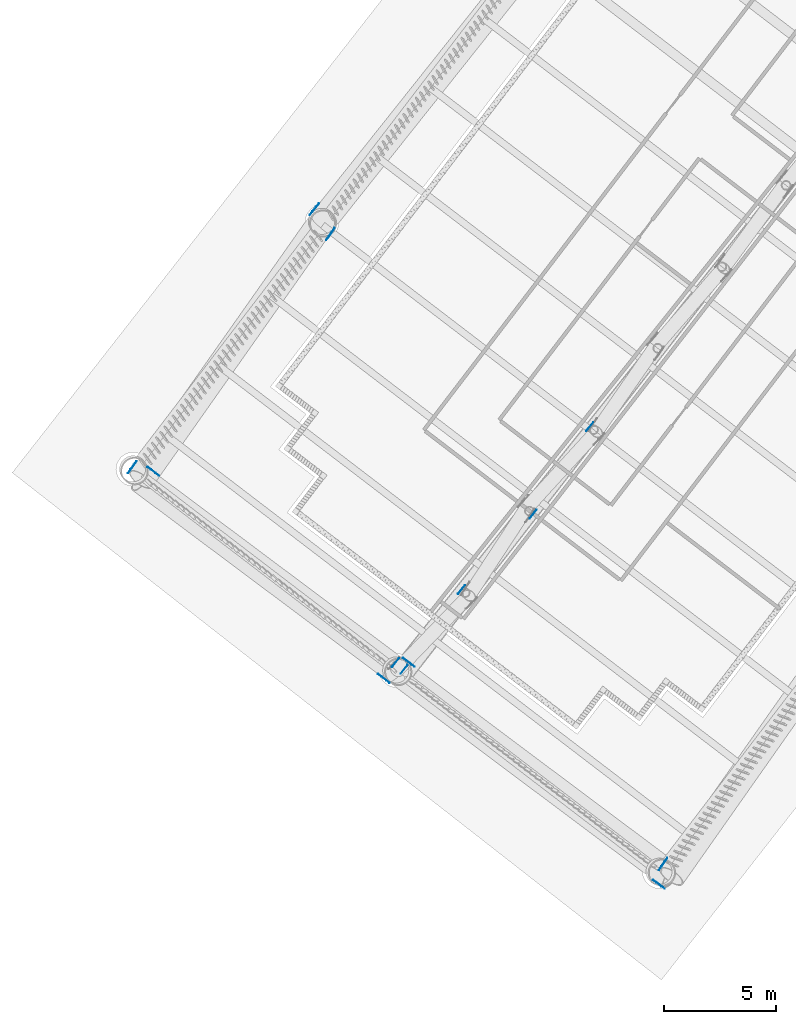
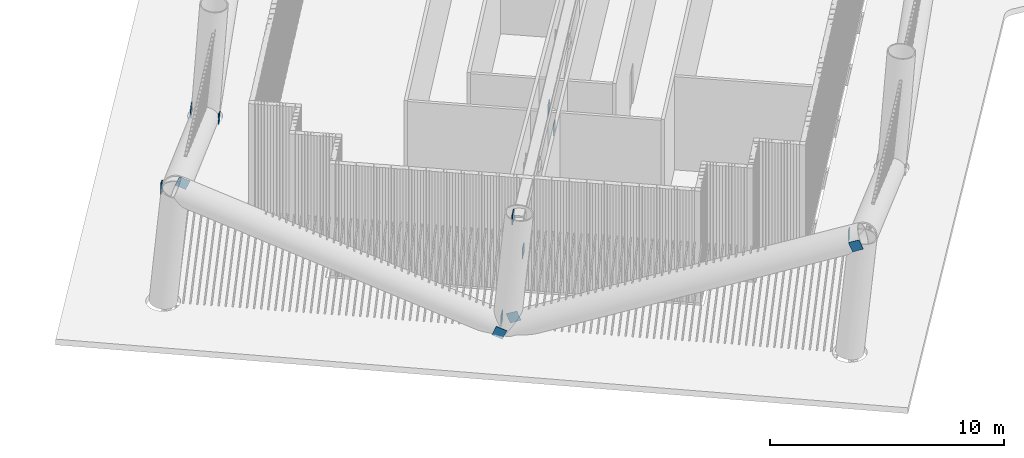
# One storey, part 22 of 48: 13 discrete accessories.
"""IFC4 building model written with IfcOpenShell, lengths in metres."""

from ifc_helpers import new_model, si_unit, direction, frame, origin, origin_2d, place, context, subcontext, project, spatial, rectangle, extrude, material, material_profile, profile_set, type_object, element, save


model = new_model("IFC4")

# Units and contexts
model_context = context("Model", 3, precision=1e-05, world=origin(), true_north=direction((0.0, 1.0)))
body_context = subcontext(model_context, "Body", "Model", "MODEL_VIEW")
ifc_project = project(units=[si_unit("LENGTHUNIT", "METRE"), si_unit("AREAUNIT", "SQUARE_METRE"), si_unit("VOLUMEUNIT", "CUBIC_METRE"), si_unit("PLANEANGLEUNIT", "RADIAN"), si_unit("MASSUNIT", "GRAM", prefix="KILO")], contexts=[model_context])

# Site, building, storey
site_placement = place(None, origin())
site = spatial("IfcSite", under=ifc_project, at=site_placement, CompositionType="ELEMENT")
building_placement = place(site_placement, origin())
building = spatial("IfcBuilding", under=site, at=building_placement, Name="Tarsis Ring Headquarters", CompositionType="ELEMENT")
storey_placement = place(building_placement, frame((0.0, 0.0, 34.0)))
storey = spatial("IfcBuildingStorey", under=building, at=storey_placement, Name="L06", CompositionType="ELEMENT", Elevation=34.0)

# Discrete accessories
ifc_material = material(Name="Structural steel S355", Category="steel")
ifc_material_profile = material_profile(ifc_material, rectangle(XDim=0.02490234375, YDim=0.5, at=origin_2d()), Name="PL 25x500")
ifc_profile_set = profile_set([ifc_material_profile], Name="Structural steel S355")
discrete_accessory_type_1 = type_object("IfcDiscreteAccessoryType", Name="Gusset plate Belt truss 25", PredefinedType="BRACKET", material=ifc_profile_set)
discrete_accessory_1_placement = place(storey_placement, frame((-35.869873046875, -21.524658203125, 0.0), z_axis=(0.57053436853, 0.717438427493, 0.399715695317), x_axis=(-0.782683582738, 0.622419801511, 0.0)))
element("IfcDiscreteAccessory", 1, at=discrete_accessory_1_placement, inside=storey, type_object=discrete_accessory_type_1, Name="Gusset plate GP4", PredefinedType="BRACKET", context=body_context, shape_type="SweptSolid", body=[
    extrude(rectangle(XDim=0.02490234375, YDim=0.5, at=origin_2d()), origin(), (0.0, 0.0, 1.0), 0.500244140625),
])
for number, where, z_axis, x_axis, name in (
    (2, (-34.874267578125, -22.269775390625, 0.0), (-0.529180247013, -0.752275609453, 0.392491622323), (0.817908176964, -0.575348776009, 0.0), "Gusset plate GP4"),
    (3, (-43.988037109375, -33.054931640625, 6.0), (0.529725989636, 0.75186914658, -0.392534281721), (-0.817482433131, 0.575953532433, 0.0), "Gusset plate GP4"),
):
    element("IfcDiscreteAccessory", number, at=place(storey_placement, frame(where, z_axis=z_axis, x_axis=x_axis)), inside=storey, type_object=discrete_accessory_type_1, Name=name, PredefinedType="BRACKET", context=body_context, shape_type="SweptSolid", body=[
        extrude(rectangle(XDim=0.02490234375, YDim=0.5, at=origin_2d()), origin(), (0.0, 0.0, 1.0), 0.5),
    ])
discrete_accessory_2_placement = place(storey_placement, frame((-32.44189453125, -42.443359375, 0.0), z_axis=(-0.738015075806, 0.552046991228, 0.388043641049), x_axis=(-0.598982674714, -0.800761984233, 0.0)))
element("IfcDiscreteAccessory", 4, at=discrete_accessory_2_placement, inside=storey, type_object=discrete_accessory_type_1, Name="Gusset plate GP4", PredefinedType="BRACKET", context=body_context, shape_type="SweptSolid", body=[
    extrude(rectangle(XDim=0.02490234375, YDim=0.5, at=origin_2d()), origin(), (0.0, 0.0, 1.0), 0.500244140625),
])
for number, where, z_axis, x_axis, name in (
    (5, (-43.106689453125, -32.914794921875, 6.0), (0.737792704895, -0.552245896252, -0.388183454925), (0.599236773159, 0.800571851674, 0.0), "Gusset plate GP4"),
    (6, (-31.69677734375, -41.447021484375, 0.0), (0.745920019388, -0.557975511885, 0.363684826207), (0.598993342393, 0.800754004529, 0.0), "Gusset plate GP4"),
    (7, (-20.150390625, -51.642333984375, 6.0), (-0.745703348312, 0.558178734198, -0.363817285195), (-0.599244778781, -0.800565859317, 0.0), "Gusset plate GP4"),
    (8, (-20.28662109375, -50.786376953125, 6.0), (0.526855845587, 0.750000536442, -0.399902629783), (-0.8182797382, 0.574820206718, 0.0), "Gusset plate GP4"),
):
    element("IfcDiscreteAccessory", number, at=place(storey_placement, frame(where, z_axis=z_axis, x_axis=x_axis)), inside=storey, type_object=discrete_accessory_type_1, Name=name, PredefinedType="BRACKET", context=body_context, shape_type="SweptSolid", body=[
        extrude(rectangle(XDim=0.02490234375, YDim=0.5, at=origin_2d()), origin(), (0.0, 0.0, 1.0), 0.5),
    ])
discrete_accessory_type_2 = type_object("IfcDiscreteAccessoryType", Name="Gusset plate Outrigger chord 25", PredefinedType="BRACKET", material=ifc_profile_set)
discrete_accessory_3_placement = place(storey_placement, frame((-32.259033203125, -41.79296875, 0.25390625), z_axis=(0.623861257485, 0.781535112077, 0.0), x_axis=(-0.781535112077, 0.623861257485, 0.0)))
element("IfcDiscreteAccessory", 9, at=discrete_accessory_3_placement, inside=storey, type_object=discrete_accessory_type_2, Name="Gusset plate GP3", PredefinedType="BRACKET", context=body_context, shape_type="SweptSolid", body=[
    extrude(rectangle(XDim=0.02490234375, YDim=0.5, at=origin_2d()), origin(), (0.0, 0.0, 1.0), 0.500244140625),
])
for number, where, z_axis, x_axis, name in (
    (10, (-31.869384765625, -42.092041015625, 5.5859375), (0.613737779223, 0.789509935564, 0.0), (-0.789509935564, 0.613737779223, 0.0), "Gusset plate GP3"),
    (11, (-23.426513671875, -31.0576171875, 0.508056640625), (0.0, 0.0, 1.0), (-0.781483383945, 0.623926053806, 0.0), "Gusset plate GP3"),
    (12, (-25.953369140625, -34.962890625, 5.33203125), (0.0, 0.0, -1.0), (0.789687045246, -0.613509878136, 0.0), "Gusset plate GP3"),
    (13, (-29.15771484375, -38.33447265625, 0.508056640625), (0.0, 0.0, 1.0), (-0.781483383945, 0.623926053806, 0.0), "Gusset plate GP3"),
):
    element("IfcDiscreteAccessory", number, at=place(storey_placement, frame(where, z_axis=z_axis, x_axis=x_axis)), inside=storey, type_object=discrete_accessory_type_2, Name=name, PredefinedType="BRACKET", context=body_context, shape_type="SweptSolid", body=[
        extrude(rectangle(XDim=0.02490234375, YDim=0.5, at=origin_2d()), origin(), (0.0, 0.0, 1.0), 0.5),
    ])

save(model, "model.ifc")
